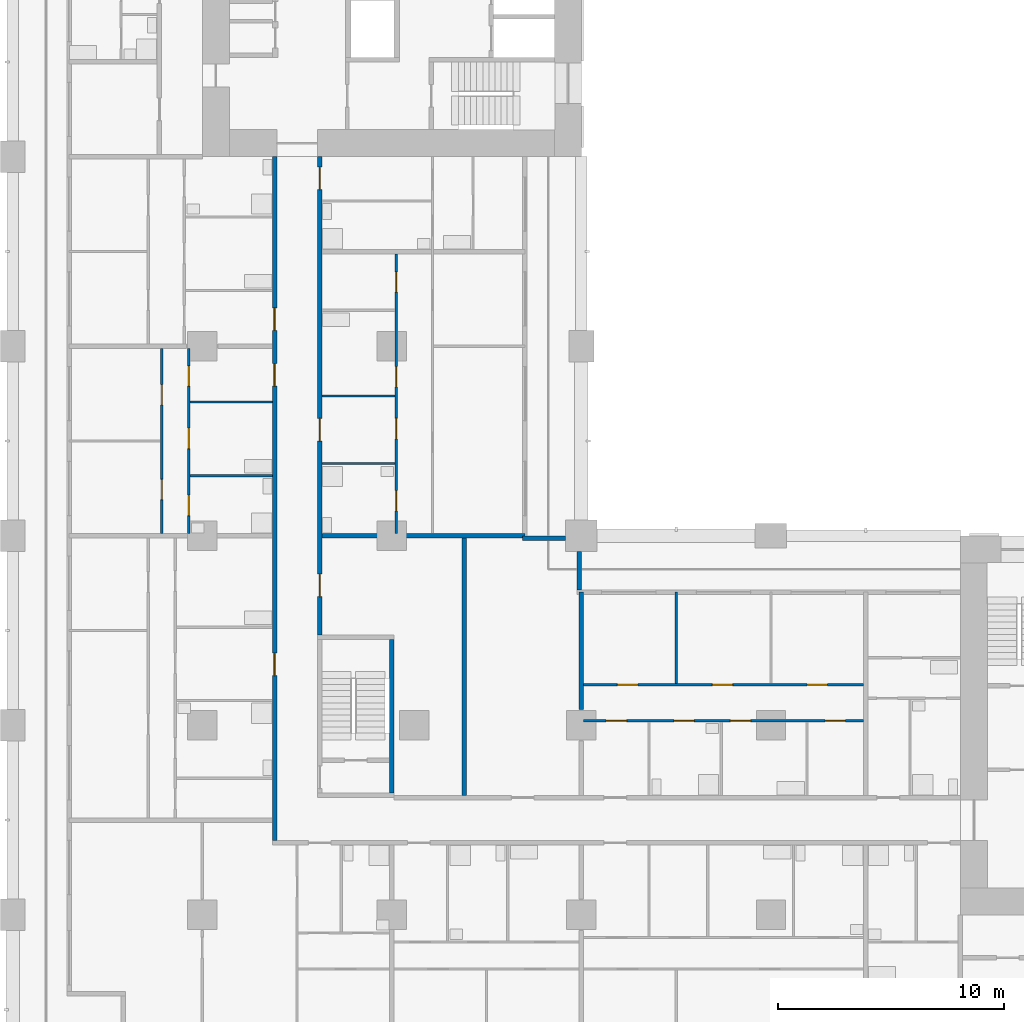
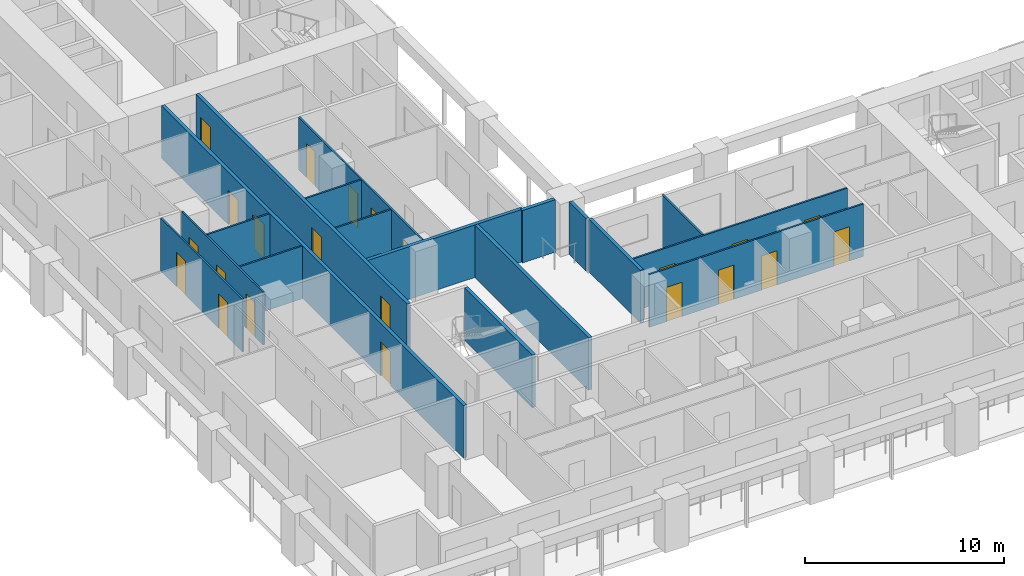
# One storey, part 4 of 19: 22 doors, 18 walls, 22 openings.
"""IFC4 building model written with IfcOpenShell, lengths in metres."""

from ifc_helpers import new_model, si_unit, direction, frame, frame_2d, origin, place, context, subcontext, project, spatial, rectangle, extrude, material, layer, layer_set, type_object, element, fill, save


model = new_model("IFC4")

# Units and contexts
model_context = context("Model", 3, precision=1e-05, world=origin(), true_north=direction((0.0, 1.0)))
body_context = subcontext(model_context, "Body", "Model", "MODEL_VIEW")
ifc_project = project(units=[si_unit("LENGTHUNIT", "METRE"), si_unit("AREAUNIT", "SQUARE_METRE"), si_unit("VOLUMEUNIT", "CUBIC_METRE"), si_unit("PLANEANGLEUNIT", "RADIAN"), si_unit("MASSUNIT", "GRAM", prefix="KILO")], contexts=[model_context])

# Site, building, storey
site_placement = place(None, origin())
site = spatial("IfcSite", under=ifc_project, at=site_placement, CompositionType="ELEMENT")
building_placement = place(site_placement, origin())
building = spatial("IfcBuilding", under=site, at=building_placement, Name="Vermilion Gate Residences", CompositionType="ELEMENT")
storey_placement = place(building_placement, frame((0.0, 0.0, 49.699951171875)))
storey = spatial("IfcBuildingStorey", under=building, at=storey_placement, Name="L11", CompositionType="ELEMENT", Elevation=49.699951171875)

# Walls
ifc_material_1 = material(Name="Insulated steel stud wall with terracotta rainscreen", Category="masonry")
ifc_layer_1 = layer(ifc_material_1, 0.199951171875)
ifc_layer_set_1 = layer_set([ifc_layer_1], Name="EXTERNAL WALL 200 TERRACOTTA RAINSCREEN")
wall_type_1 = type_object("IfcWallType", Name="EXTERNAL WALL 200 TERRACOTTA RAINSCREEN", PredefinedType="SOLIDWALL", material=ifc_layer_set_1)
wall_1_placement = place(storey_placement, frame((25.10009765625, 22.800048828125, 0.0), z_axis=(0.0, 0.0, 1.0), x_axis=(0.0, 1.0, 0.0)))
element("IfcWall", 1, at=wall_1_placement, inside=storey, type_object=wall_type_1, Name="External wall", PredefinedType="SOLIDWALL", context=body_context, shape_type="SweptSolid", body=[
    extrude(rectangle(XDim=1.699951171875, YDim=0.199951171875, at=frame_2d((0.85009765625, 0.0))), origin(), (0.0, 0.0, 1.0), 3.219970703125),
])
wall_2_placement = place(storey_placement, frame((24.5, 25.10009765625, 0.0), z_axis=(0.0, 0.0, 1.0), x_axis=(-1.0, 0.0, 0.0)))
element("IfcWall", 2, at=wall_2_placement, inside=storey, type_object=wall_type_1, Name="External wall", PredefinedType="SOLIDWALL", context=body_context, shape_type="SweptSolid", body=[
    extrude(rectangle(XDim=1.89990234375, YDim=0.199951171875, at=frame_2d((0.949951171875, 0.0))), origin(), (0.0, 0.0, 1.0), 3.219970703125),
])

# Wall, openings, doors
ifc_material_2 = material(Name="Plasterboard on steel studs", Category="steel")
ifc_layer_2 = layer(ifc_material_2, 0.10009765625)
ifc_layer_set_2 = layer_set([ifc_layer_2], Name="PARTITION 100")
wall_type_2 = type_object("IfcWallType", Name="PARTITION 100", PredefinedType="PARTITIONING", material=ifc_layer_set_2)
wall_3_placement = place(storey_placement, frame((25.300048828125, 17.0, 0.0), z_axis=(0.0, 0.0, 1.0), x_axis=(1.0, 0.0, 0.0)))
wall_3 = element("IfcWall", 3, at=wall_3_placement, inside=storey, type_object=wall_type_2, Name="Partition", PredefinedType="PARTITIONING", context=body_context, shape_type="SweptSolid", body=[
    extrude(rectangle(XDim=12.39990234375, YDim=0.10009765625, at=frame_2d((6.199951171875, 0.0))), origin(), (0.0, 0.0, 1.0), 3.219970703125),
])
opening_1_placement = place(wall_3_placement, frame((1.0, 0.0, 0.0)))
opening_1 = element("IfcOpeningElement", 4, at=opening_1_placement, cuts=wall_3, Name="Opening DA10032", PredefinedType="OPENING", context=body_context, shape_type="SweptSolid", body=[
    extrude(rectangle(XDim=0.89990234375, YDim=2.10009765625, at=frame_2d((0.449951171875, 1.050048828125))), frame((0.0, 0.06005859375, 0.0), z_axis=(0.0, -1.0, 0.0), x_axis=(1.0, 0.0, 0.0)), (0.0, 0.0, 1.0), 0.1201171875),
])
opening_2_placement = place(wall_3_placement, frame((4.0, 0.0, 0.0)))
opening_2 = element("IfcOpeningElement", 5, at=opening_2_placement, cuts=wall_3, Name="Opening DA10033", PredefinedType="OPENING", context=body_context, shape_type="SweptSolid", body=[
    extrude(rectangle(XDim=0.89990234375, YDim=2.10009765625, at=frame_2d((0.449951171875, 1.050048828125))), frame((0.0, 0.06005859375, 0.0), z_axis=(0.0, -1.0, 0.0), x_axis=(1.0, 0.0, 0.0)), (0.0, 0.0, 1.0), 0.1201171875),
])
opening_3_placement = place(wall_3_placement, frame((6.5, 0.0, 0.0)))
opening_3 = element("IfcOpeningElement", 6, at=opening_3_placement, cuts=wall_3, Name="Opening DA10034", PredefinedType="OPENING", context=body_context, shape_type="SweptSolid", body=[
    extrude(rectangle(XDim=0.89990234375, YDim=2.10009765625, at=frame_2d((0.449951171875, 1.050048828125))), frame((0.0, 0.06005859375, 0.0), z_axis=(0.0, -1.0, 0.0), x_axis=(1.0, 0.0, 0.0)), (0.0, 0.0, 1.0), 0.1201171875),
])
opening_4_placement = place(wall_3_placement, frame((10.699951171875, 0.0, 0.0)))
opening_4 = element("IfcOpeningElement", 7, at=opening_4_placement, cuts=wall_3, Name="Opening DA10035", PredefinedType="OPENING", context=body_context, shape_type="SweptSolid", body=[
    extrude(rectangle(XDim=0.89990234375, YDim=2.10009765625, at=frame_2d((0.449951171875, 1.050048828125))), frame((0.0, 0.06005859375, 0.0), z_axis=(0.0, -1.0, 0.0), x_axis=(1.0, 0.0, 0.0)), (0.0, 0.0, 1.0), 0.1201171875),
])
ifc_material_3 = material(Name="Timber", Category="wood")
door_type_1 = type_object("IfcDoorType", Name="INTERIOR DOOR 900 X 2100", OperationType="SINGLE_SWING_LEFT", PredefinedType="DOOR", material=ifc_material_3)
door_1_placement = place(opening_1_placement, frame((0.89990234375, 0.0, 0.0), z_axis=(0.0, 0.0, 1.0), x_axis=(-1.0, 0.0, 0.0)))
door_1 = element("IfcDoor", 8, at=door_1_placement, inside=storey, type_object=door_type_1, Name="Interior door", OperationType="SINGLE_SWING_RIGHT", OverallHeight=2.10009765625, OverallWidth=0.89990234375, PredefinedType="DOOR", context=body_context, shape_type="SweptSolid", body=[
    extrude(rectangle(XDim=0.89990234375, YDim=2.10009765625, at=frame_2d((0.449951171875, 1.050048828125))), frame((0.0, 0.02490234375, 0.0), z_axis=(0.0, -1.0, 0.0), x_axis=(1.0, 0.0, 0.0)), (0.0, 0.0, 1.0), 0.050048828125),
])
fill(opening_1, door_1)
door_2_placement = place(opening_2_placement, frame((0.89990234375, 0.0, 0.0), z_axis=(0.0, 0.0, 1.0), x_axis=(-1.0, 0.0, 0.0)))
door_2 = element("IfcDoor", 9, at=door_2_placement, inside=storey, type_object=door_type_1, Name="Interior door", OperationType="SINGLE_SWING_LEFT", OverallHeight=2.10009765625, OverallWidth=0.89990234375, PredefinedType="DOOR", context=body_context, shape_type="SweptSolid", body=[
    extrude(rectangle(XDim=0.89990234375, YDim=2.10009765625, at=frame_2d((0.449951171875, 1.050048828125))), frame((0.0, 0.02490234375, 0.0), z_axis=(0.0, -1.0, 0.0), x_axis=(1.0, 0.0, 0.0)), (0.0, 0.0, 1.0), 0.050048828125),
])
fill(opening_2, door_2)
door_3_placement = place(opening_3_placement, frame((0.89990234375, 0.0, 0.0), z_axis=(0.0, 0.0, 1.0), x_axis=(-1.0, 0.0, 0.0)))
door_3 = element("IfcDoor", 10, at=door_3_placement, inside=storey, type_object=door_type_1, Name="Interior door", OperationType="SINGLE_SWING_LEFT", OverallHeight=2.10009765625, OverallWidth=0.89990234375, PredefinedType="DOOR", context=body_context, shape_type="SweptSolid", body=[
    extrude(rectangle(XDim=0.89990234375, YDim=2.10009765625, at=frame_2d((0.449951171875, 1.050048828125))), frame((0.0, 0.02490234375, 0.0), z_axis=(0.0, -1.0, 0.0), x_axis=(1.0, 0.0, 0.0)), (0.0, 0.0, 1.0), 0.050048828125),
])
fill(opening_3, door_3)
door_4_placement = place(opening_4_placement, frame((0.89990234375, 0.0, 0.0), z_axis=(0.0, 0.0, 1.0), x_axis=(-1.0, 0.0, 0.0)))
door_4 = element("IfcDoor", 11, at=door_4_placement, inside=storey, type_object=door_type_1, Name="Interior door", OperationType="SINGLE_SWING_RIGHT", OverallHeight=2.10009765625, OverallWidth=0.89990234375, PredefinedType="DOOR", context=body_context, shape_type="SweptSolid", body=[
    extrude(rectangle(XDim=0.89990234375, YDim=2.10009765625, at=frame_2d((0.449951171875, 1.050048828125))), frame((0.0, 0.02490234375, 0.0), z_axis=(0.0, -1.0, 0.0), x_axis=(1.0, 0.0, 0.0)), (0.0, 0.0, 1.0), 0.050048828125),
])
fill(opening_4, door_4)

wall_4_placement = place(storey_placement, frame((25.300048828125, 18.60009765625, 0.0), z_axis=(0.0, 0.0, 1.0), x_axis=(1.0, 0.0, 0.0)))
wall_4 = element("IfcWall", 12, at=wall_4_placement, inside=storey, type_object=wall_type_2, Name="Partition", PredefinedType="PARTITIONING", context=body_context, shape_type="SweptSolid", body=[
    extrude(rectangle(XDim=12.39990234375, YDim=0.10009765625, at=frame_2d((6.199951171875, 0.0))), origin(), (0.0, 0.0, 1.0), 3.219970703125),
])
opening_5_placement = place(wall_4_placement, frame((1.5, 0.0, 0.0)))
opening_5 = element("IfcOpeningElement", 13, at=opening_5_placement, cuts=wall_4, Name="Opening DA10038", PredefinedType="OPENING", context=body_context, shape_type="SweptSolid", body=[
    extrude(rectangle(XDim=0.89990234375, YDim=2.10009765625, at=frame_2d((0.449951171875, 1.050048828125))), frame((0.0, 0.06005859375, 0.0), z_axis=(0.0, -1.0, 0.0), x_axis=(1.0, 0.0, 0.0)), (0.0, 0.0, 1.0), 0.1201171875),
])
opening_6_placement = place(wall_4_placement, frame((5.699951171875, 0.0, 0.0)))
opening_6 = element("IfcOpeningElement", 14, at=opening_6_placement, cuts=wall_4, Name="Opening DA10039", PredefinedType="OPENING", context=body_context, shape_type="SweptSolid", body=[
    extrude(rectangle(XDim=0.89990234375, YDim=2.10009765625, at=frame_2d((0.449951171875, 1.050048828125))), frame((0.0, 0.06005859375, 0.0), z_axis=(0.0, -1.0, 0.0), x_axis=(1.0, 0.0, 0.0)), (0.0, 0.0, 1.0), 0.1201171875),
])
opening_7_placement = place(wall_4_placement, frame((9.89990234375, 0.0, 0.0)))
opening_7 = element("IfcOpeningElement", 15, at=opening_7_placement, cuts=wall_4, Name="Opening DA10040", PredefinedType="OPENING", context=body_context, shape_type="SweptSolid", body=[
    extrude(rectangle(XDim=0.89990234375, YDim=2.10009765625, at=frame_2d((0.449951171875, 1.050048828125))), frame((0.0, 0.06005859375, 0.0), z_axis=(0.0, -1.0, 0.0), x_axis=(1.0, 0.0, 0.0)), (0.0, 0.0, 1.0), 0.1201171875),
])
door_5_placement = place(opening_5_placement, origin())
door_5 = element("IfcDoor", 16, at=door_5_placement, inside=storey, type_object=door_type_1, Name="Interior door", OperationType="SINGLE_SWING_LEFT", OverallHeight=2.10009765625, OverallWidth=0.89990234375, PredefinedType="DOOR", context=body_context, shape_type="SweptSolid", body=[
    extrude(rectangle(XDim=0.89990234375, YDim=2.10009765625, at=frame_2d((0.449951171875, 1.050048828125))), frame((0.0, 0.02490234375, 0.0), z_axis=(0.0, -1.0, 0.0), x_axis=(1.0, 0.0, 0.0)), (0.0, 0.0, 1.0), 0.050048828125),
])
fill(opening_5, door_5)
door_6_placement = place(opening_6_placement, origin())
door_6 = element("IfcDoor", 17, at=door_6_placement, inside=storey, type_object=door_type_1, Name="Interior door", OperationType="SINGLE_SWING_LEFT", OverallHeight=2.10009765625, OverallWidth=0.89990234375, PredefinedType="DOOR", context=body_context, shape_type="SweptSolid", body=[
    extrude(rectangle(XDim=0.89990234375, YDim=2.10009765625, at=frame_2d((0.449951171875, 1.050048828125))), frame((0.0, 0.02490234375, 0.0), z_axis=(0.0, -1.0, 0.0), x_axis=(1.0, 0.0, 0.0)), (0.0, 0.0, 1.0), 0.050048828125),
])
fill(opening_6, door_6)
door_7_placement = place(opening_7_placement, origin())
door_7 = element("IfcDoor", 18, at=door_7_placement, inside=storey, type_object=door_type_1, Name="Interior door", OperationType="SINGLE_SWING_LEFT", OverallHeight=2.10009765625, OverallWidth=0.89990234375, PredefinedType="DOOR", context=body_context, shape_type="SweptSolid", body=[
    extrude(rectangle(XDim=0.89990234375, YDim=2.10009765625, at=frame_2d((0.449951171875, 1.050048828125))), frame((0.0, 0.02490234375, 0.0), z_axis=(0.0, -1.0, 0.0), x_axis=(1.0, 0.0, 0.0)), (0.0, 0.0, 1.0), 0.050048828125),
])
fill(opening_7, door_7)

# Walls
wall_5_placement = place(storey_placement, frame((7.85009765625, 27.866943359375, 0.0), z_axis=(0.0, 0.0, 1.0), x_axis=(1.0, 0.0, 0.0)))
element("IfcWall", 19, at=wall_5_placement, inside=storey, type_object=wall_type_2, Name="Partition", PredefinedType="PARTITIONING", context=body_context, shape_type="SweptSolid", body=[
    extrude(rectangle(XDim=3.64990234375, YDim=0.10009765625, at=frame_2d((1.824951171875, 0.0))), origin(), (0.0, 0.0, 1.0), 3.219970703125),
])
wall_6_placement = place(storey_placement, frame((13.699951171875, 28.39990234375, 0.0), z_axis=(0.0, 0.0, 1.0), x_axis=(1.0, 0.0, 0.0)))
element("IfcWall", 20, at=wall_6_placement, inside=storey, type_object=wall_type_2, Name="Partition", PredefinedType="PARTITIONING", context=body_context, shape_type="SweptSolid", body=[
    extrude(rectangle(XDim=3.25, YDim=0.10009765625, at=frame_2d((1.625, 0.0))), origin(), (0.0, 0.0, 1.0), 3.219970703125),
])
wall_7_placement = place(storey_placement, frame((7.85009765625, 31.133056640625, 0.0), z_axis=(0.0, 0.0, 1.0), x_axis=(1.0, 0.0, 0.0)))
element("IfcWall", 21, at=wall_7_placement, inside=storey, type_object=wall_type_2, Name="Partition", PredefinedType="PARTITIONING", context=body_context, shape_type="SweptSolid", body=[
    extrude(rectangle(XDim=3.64990234375, YDim=0.10009765625, at=frame_2d((1.824951171875, 0.0))), origin(), (0.0, 0.0, 1.0), 3.219970703125),
])
wall_8_placement = place(storey_placement, frame((13.699951171875, 31.39990234375, 0.0), z_axis=(0.0, 0.0, 1.0), x_axis=(1.0, 0.0, 0.0)))
element("IfcWall", 22, at=wall_8_placement, inside=storey, type_object=wall_type_2, Name="Partition", PredefinedType="PARTITIONING", context=body_context, shape_type="SweptSolid", body=[
    extrude(rectangle(XDim=3.25, YDim=0.10009765625, at=frame_2d((1.625, 0.0))), origin(), (0.0, 0.0, 1.0), 3.219970703125),
])

# Wall, openings, doors
wall_9_placement = place(storey_placement, frame((6.60009765625, 25.300048828125, 0.0), z_axis=(0.0, 0.0, 1.0), x_axis=(0.0, 1.0, 0.0)))
wall_9 = element("IfcWall", 23, at=wall_9_placement, inside=storey, type_object=wall_type_2, Name="Partition", PredefinedType="PARTITIONING", context=body_context, shape_type="SweptSolid", body=[
    extrude(rectangle(XDim=8.199951171875, YDim=0.10009765625, at=frame_2d((4.10009765625, 0.0))), origin(), (0.0, 0.0, 1.0), 3.219970703125),
])
opening_8_placement = place(wall_9_placement, frame((1.5, 0.0, 0.0)))
opening_8 = element("IfcOpeningElement", 24, at=opening_8_placement, cuts=wall_9, Name="Opening DA10051", PredefinedType="OPENING", context=body_context, shape_type="SweptSolid", body=[
    extrude(rectangle(XDim=0.89990234375, YDim=2.10009765625, at=frame_2d((0.449951171875, 1.050048828125))), frame((0.0, 0.06005859375, 0.0), z_axis=(0.0, -1.0, 0.0), x_axis=(1.0, 0.0, 0.0)), (0.0, 0.0, 1.0), 0.1201171875),
])
opening_9_placement = place(wall_9_placement, frame((5.699951171875, 0.0, 0.0)))
opening_9 = element("IfcOpeningElement", 25, at=opening_9_placement, cuts=wall_9, Name="Opening DA10052", PredefinedType="OPENING", context=body_context, shape_type="SweptSolid", body=[
    extrude(rectangle(XDim=0.89990234375, YDim=2.10009765625, at=frame_2d((0.449951171875, 1.050048828125))), frame((0.0, 0.06005859375, 0.0), z_axis=(0.0, -1.0, 0.0), x_axis=(1.0, 0.0, 0.0)), (0.0, 0.0, 1.0), 0.1201171875),
])
door_8_placement = place(opening_8_placement, origin())
door_8 = element("IfcDoor", 26, at=door_8_placement, inside=storey, type_object=door_type_1, Name="Interior door", OperationType="SINGLE_SWING_LEFT", OverallHeight=2.10009765625, OverallWidth=0.89990234375, PredefinedType="DOOR", context=body_context, shape_type="SweptSolid", body=[
    extrude(rectangle(XDim=0.89990234375, YDim=2.10009765625, at=frame_2d((0.449951171875, 1.050048828125))), frame((0.0, 0.02490234375, 0.0), z_axis=(0.0, -1.0, 0.0), x_axis=(1.0, 0.0, 0.0)), (0.0, 0.0, 1.0), 0.050048828125),
])
fill(opening_8, door_8)
door_9_placement = place(opening_9_placement, origin())
door_9 = element("IfcDoor", 27, at=door_9_placement, inside=storey, type_object=door_type_1, Name="Interior door", OperationType="SINGLE_SWING_LEFT", OverallHeight=2.10009765625, OverallWidth=0.89990234375, PredefinedType="DOOR", context=body_context, shape_type="SweptSolid", body=[
    extrude(rectangle(XDim=0.89990234375, YDim=2.10009765625, at=frame_2d((0.449951171875, 1.050048828125))), frame((0.0, 0.02490234375, 0.0), z_axis=(0.0, -1.0, 0.0), x_axis=(1.0, 0.0, 0.0)), (0.0, 0.0, 1.0), 0.050048828125),
])
fill(opening_9, door_9)

wall_10_placement = place(storey_placement, frame((7.800048828125, 25.300048828125, 0.0), z_axis=(0.0, 0.0, 1.0), x_axis=(0.0, 1.0, 0.0)))
wall_10 = element("IfcWall", 28, at=wall_10_placement, inside=storey, type_object=wall_type_2, Name="Partition", PredefinedType="PARTITIONING", context=body_context, shape_type="SweptSolid", body=[
    extrude(rectangle(XDim=8.199951171875, YDim=0.10009765625, at=frame_2d((4.10009765625, 0.0))), origin(), (0.0, 0.0, 1.0), 3.219970703125),
])
opening_10_placement = place(wall_10_placement, frame((6.532958984375, 0.0, 0.0)))
opening_10 = element("IfcOpeningElement", 29, at=opening_10_placement, cuts=wall_10, Name="Opening DA10060", PredefinedType="OPENING", context=body_context, shape_type="SweptSolid", body=[
    extrude(rectangle(XDim=0.89990234375, YDim=2.10009765625, at=frame_2d((0.449951171875, 1.050048828125))), frame((0.0, 0.06005859375, 0.0), z_axis=(0.0, -1.0, 0.0), x_axis=(1.0, 0.0, 0.0)), (0.0, 0.0, 1.0), 0.1201171875),
])
opening_11_placement = place(wall_10_placement, frame((0.800048828125, 0.0, 0.0)))
opening_11 = element("IfcOpeningElement", 30, at=opening_11_placement, cuts=wall_10, Name="Opening DA10061", PredefinedType="OPENING", context=body_context, shape_type="SweptSolid", body=[
    extrude(rectangle(XDim=0.89990234375, YDim=2.10009765625, at=frame_2d((0.449951171875, 1.050048828125))), frame((0.0, 0.06005859375, 0.0), z_axis=(0.0, -1.0, 0.0), x_axis=(1.0, 0.0, 0.0)), (0.0, 0.0, 1.0), 0.1201171875),
])
opening_12_placement = place(wall_10_placement, frame((3.76708984375, 0.0, 0.0)))
opening_12 = element("IfcOpeningElement", 31, at=opening_12_placement, cuts=wall_10, Name="Opening DA10062", PredefinedType="OPENING", context=body_context, shape_type="SweptSolid", body=[
    extrude(rectangle(XDim=0.89990234375, YDim=2.10009765625, at=frame_2d((0.449951171875, 1.050048828125))), frame((0.0, 0.06005859375, 0.0), z_axis=(0.0, -1.0, 0.0), x_axis=(1.0, 0.0, 0.0)), (0.0, 0.0, 1.0), 0.1201171875),
])
door_10_placement = place(opening_10_placement, frame((0.89990234375, 0.0, 0.0), z_axis=(0.0, 0.0, 1.0), x_axis=(-1.0, 0.0, 0.0)))
door_10 = element("IfcDoor", 32, at=door_10_placement, inside=storey, type_object=door_type_1, Name="Interior door", OperationType="SINGLE_SWING_LEFT", OverallHeight=2.10009765625, OverallWidth=0.89990234375, PredefinedType="DOOR", context=body_context, shape_type="SweptSolid", body=[
    extrude(rectangle(XDim=0.89990234375, YDim=2.10009765625, at=frame_2d((0.449951171875, 1.050048828125))), frame((0.0, 0.02490234375, 0.0), z_axis=(0.0, -1.0, 0.0), x_axis=(1.0, 0.0, 0.0)), (0.0, 0.0, 1.0), 0.050048828125),
])
fill(opening_10, door_10)
door_11_placement = place(opening_11_placement, frame((0.89990234375, 0.0, 0.0), z_axis=(0.0, 0.0, 1.0), x_axis=(-1.0, 0.0, 0.0)))
door_11 = element("IfcDoor", 33, at=door_11_placement, inside=storey, type_object=door_type_1, Name="Interior door", OperationType="SINGLE_SWING_RIGHT", OverallHeight=2.10009765625, OverallWidth=0.89990234375, PredefinedType="DOOR", context=body_context, shape_type="SweptSolid", body=[
    extrude(rectangle(XDim=0.89990234375, YDim=2.10009765625, at=frame_2d((0.449951171875, 1.050048828125))), frame((0.0, 0.02490234375, 0.0), z_axis=(0.0, -1.0, 0.0), x_axis=(1.0, 0.0, 0.0)), (0.0, 0.0, 1.0), 0.050048828125),
])
fill(opening_11, door_11)
door_12_placement = place(opening_12_placement, frame((0.89990234375, 0.0, 0.0), z_axis=(0.0, 0.0, 1.0), x_axis=(-1.0, 0.0, 0.0)))
door_12 = element("IfcDoor", 34, at=door_12_placement, inside=storey, type_object=door_type_1, Name="Interior door", OperationType="SINGLE_SWING_LEFT", OverallHeight=2.10009765625, OverallWidth=0.89990234375, PredefinedType="DOOR", context=body_context, shape_type="SweptSolid", body=[
    extrude(rectangle(XDim=0.89990234375, YDim=2.10009765625, at=frame_2d((0.449951171875, 1.050048828125))), frame((0.0, 0.02490234375, 0.0), z_axis=(0.0, -1.0, 0.0), x_axis=(1.0, 0.0, 0.0)), (0.0, 0.0, 1.0), 0.050048828125),
])
fill(opening_12, door_12)

wall_11_placement = place(storey_placement, frame((17.0, 25.300048828125, 0.0), z_axis=(0.0, 0.0, 1.0), x_axis=(0.0, 1.0, 0.0)))
wall_11 = element("IfcWall", 35, at=wall_11_placement, inside=storey, type_object=wall_type_2, Name="Partition", PredefinedType="PARTITIONING", context=body_context, shape_type="SweptSolid", body=[
    extrude(rectangle(XDim=12.39990234375, YDim=0.10009765625, at=frame_2d((6.199951171875, 0.0))), origin(), (0.0, 0.0, 1.0), 3.219970703125),
])
opening_13_placement = place(wall_11_placement, frame((4.199951171875, 0.0, 0.0)))
opening_13 = element("IfcOpeningElement", 36, at=opening_13_placement, cuts=wall_11, Name="Opening DA10071", PredefinedType="OPENING", context=body_context, shape_type="SweptSolid", body=[
    extrude(rectangle(XDim=0.89990234375, YDim=2.10009765625, at=frame_2d((0.449951171875, 1.050048828125))), frame((0.0, 0.06005859375, 0.0), z_axis=(0.0, -1.0, 0.0), x_axis=(1.0, 0.0, 0.0)), (0.0, 0.0, 1.0), 0.1201171875),
])
opening_14_placement = place(wall_11_placement, frame((1.0, 0.0, 0.0)))
opening_14 = element("IfcOpeningElement", 37, at=opening_14_placement, cuts=wall_11, Name="Opening DA10072", PredefinedType="OPENING", context=body_context, shape_type="SweptSolid", body=[
    extrude(rectangle(XDim=0.89990234375, YDim=2.10009765625, at=frame_2d((0.449951171875, 1.050048828125))), frame((0.0, 0.06005859375, 0.0), z_axis=(0.0, -1.0, 0.0), x_axis=(1.0, 0.0, 0.0)), (0.0, 0.0, 1.0), 0.1201171875),
])
opening_15_placement = place(wall_11_placement, frame((6.5, 0.0, 0.0)))
opening_15 = element("IfcOpeningElement", 38, at=opening_15_placement, cuts=wall_11, Name="Opening DA10073", PredefinedType="OPENING", context=body_context, shape_type="SweptSolid", body=[
    extrude(rectangle(XDim=0.89990234375, YDim=2.10009765625, at=frame_2d((0.449951171875, 1.050048828125))), frame((0.0, 0.06005859375, 0.0), z_axis=(0.0, -1.0, 0.0), x_axis=(1.0, 0.0, 0.0)), (0.0, 0.0, 1.0), 0.1201171875),
])
opening_16_placement = place(wall_11_placement, frame((10.699951171875, 0.0, 0.0)))
opening_16 = element("IfcOpeningElement", 39, at=opening_16_placement, cuts=wall_11, Name="Opening DA10074", PredefinedType="OPENING", context=body_context, shape_type="SweptSolid", body=[
    extrude(rectangle(XDim=0.89990234375, YDim=2.10009765625, at=frame_2d((0.449951171875, 1.050048828125))), frame((0.0, 0.06005859375, 0.0), z_axis=(0.0, -1.0, 0.0), x_axis=(1.0, 0.0, 0.0)), (0.0, 0.0, 1.0), 0.1201171875),
])
door_13_placement = place(opening_13_placement, origin())
door_13 = element("IfcDoor", 40, at=door_13_placement, inside=storey, type_object=door_type_1, Name="Interior door", OperationType="SINGLE_SWING_RIGHT", OverallHeight=2.10009765625, OverallWidth=0.89990234375, PredefinedType="DOOR", context=body_context, shape_type="SweptSolid", body=[
    extrude(rectangle(XDim=0.89990234375, YDim=2.10009765625, at=frame_2d((0.449951171875, 1.050048828125))), frame((0.0, 0.02490234375, 0.0), z_axis=(0.0, -1.0, 0.0), x_axis=(1.0, 0.0, 0.0)), (0.0, 0.0, 1.0), 0.050048828125),
])
fill(opening_13, door_13)
door_14_placement = place(opening_14_placement, origin())
door_14 = element("IfcDoor", 41, at=door_14_placement, inside=storey, type_object=door_type_1, Name="Interior door", OperationType="SINGLE_SWING_LEFT", OverallHeight=2.10009765625, OverallWidth=0.89990234375, PredefinedType="DOOR", context=body_context, shape_type="SweptSolid", body=[
    extrude(rectangle(XDim=0.89990234375, YDim=2.10009765625, at=frame_2d((0.449951171875, 1.050048828125))), frame((0.0, 0.02490234375, 0.0), z_axis=(0.0, -1.0, 0.0), x_axis=(1.0, 0.0, 0.0)), (0.0, 0.0, 1.0), 0.050048828125),
])
fill(opening_14, door_14)
door_15_placement = place(opening_15_placement, origin())
door_15 = element("IfcDoor", 42, at=door_15_placement, inside=storey, type_object=door_type_1, Name="Interior door", OperationType="SINGLE_SWING_RIGHT", OverallHeight=2.10009765625, OverallWidth=0.89990234375, PredefinedType="DOOR", context=body_context, shape_type="SweptSolid", body=[
    extrude(rectangle(XDim=0.89990234375, YDim=2.10009765625, at=frame_2d((0.449951171875, 1.050048828125))), frame((0.0, 0.02490234375, 0.0), z_axis=(0.0, -1.0, 0.0), x_axis=(1.0, 0.0, 0.0)), (0.0, 0.0, 1.0), 0.050048828125),
])
fill(opening_15, door_15)
door_16_placement = place(opening_16_placement, origin())
door_16 = element("IfcDoor", 43, at=door_16_placement, inside=storey, type_object=door_type_1, Name="Interior door", OperationType="SINGLE_SWING_LEFT", OverallHeight=2.10009765625, OverallWidth=0.89990234375, PredefinedType="DOOR", context=body_context, shape_type="SweptSolid", body=[
    extrude(rectangle(XDim=0.89990234375, YDim=2.10009765625, at=frame_2d((0.449951171875, 1.050048828125))), frame((0.0, 0.02490234375, 0.0), z_axis=(0.0, -1.0, 0.0), x_axis=(1.0, 0.0, 0.0)), (0.0, 0.0, 1.0), 0.050048828125),
])
fill(opening_16, door_16)

# Walls
wall_12_placement = place(storey_placement, frame((29.39990234375, 18.64990234375, 0.0), z_axis=(0.0, 0.0, 1.0), x_axis=(0.0, 1.0, 0.0)))
element("IfcWall", 44, at=wall_12_placement, inside=storey, type_object=wall_type_2, Name="Partition", PredefinedType="PARTITIONING", context=body_context, shape_type="SweptSolid", body=[
    extrude(rectangle(XDim=4.050048828125, YDim=0.10009765625, at=frame_2d((2.02490234375, 0.0))), origin(), (0.0, 0.0, 1.0), 3.219970703125),
])
ifc_material_4 = material(Name="Fire-rated plasterboard on steel studs", Category="steel")
ifc_layer_3 = layer(ifc_material_4, 0.199951171875)
ifc_layer_set_3 = layer_set([ifc_layer_3], Name="PARTY WALL 200 EI 120")
wall_type_3 = type_object("IfcWallType", Name="PARTY WALL 200 EI 120", PredefinedType="PARTITIONING", material=ifc_layer_set_3)
wall_13_placement = place(storey_placement, frame((13.699951171875, 25.199951171875, 0.0), z_axis=(0.0, 0.0, 1.0), x_axis=(1.0, 0.0, 0.0)))
element("IfcWall", 45, at=wall_13_placement, inside=storey, type_object=wall_type_3, Name="Party and corridor wall", PredefinedType="PARTITIONING", context=body_context, shape_type="SweptSolid", body=[
    extrude(rectangle(XDim=9.0, YDim=0.199951171875, at=frame_2d((4.5, 0.0))), origin(), (0.0, 0.0, 1.0), 3.219970703125),
])

# Wall, openings, doors
wall_14_placement = place(storey_placement, frame((11.60009765625, 11.699951171875, 0.0), z_axis=(0.0, 0.0, 1.0), x_axis=(0.0, 1.0, 0.0)))
wall_14 = element("IfcWall", 46, at=wall_14_placement, inside=storey, type_object=wall_type_3, Name="Party and corridor wall", PredefinedType="PARTITIONING", context=body_context, shape_type="SweptSolid", body=[
    extrude(rectangle(XDim=30.300048828125, YDim=0.199951171875, at=frame_2d((15.14990234375, 0.0))), origin(), (0.0, 0.0, 1.0), 3.219970703125),
])
opening_17_placement = place(wall_14_placement, frame((7.300048828125, 0.0, 0.0)))
opening_17 = element("IfcOpeningElement", 47, at=opening_17_placement, cuts=wall_14, Name="Opening DA10064", PredefinedType="OPENING", context=body_context, shape_type="SweptSolid", body=[
    extrude(rectangle(XDim=1.0, YDim=2.10009765625, at=frame_2d((0.5, 1.050048828125))), frame((0.0, 0.10986328125, 0.0), z_axis=(0.0, -1.0, 0.0), x_axis=(1.0, 0.0, 0.0)), (0.0, 0.0, 1.0), 0.219970703125),
])
opening_18_placement = place(wall_14_placement, frame((20.133056640625, 0.0, 0.0)))
opening_18 = element("IfcOpeningElement", 48, at=opening_18_placement, cuts=wall_14, Name="Opening DA10065", PredefinedType="OPENING", context=body_context, shape_type="SweptSolid", body=[
    extrude(rectangle(XDim=1.0, YDim=2.10009765625, at=frame_2d((0.5, 1.050048828125))), frame((0.0, 0.10986328125, 0.0), z_axis=(0.0, -1.0, 0.0), x_axis=(1.0, 0.0, 0.0)), (0.0, 0.0, 1.0), 0.219970703125),
])
opening_19_placement = place(wall_14_placement, frame((22.60009765625, 0.0, 0.0)))
opening_19 = element("IfcOpeningElement", 49, at=opening_19_placement, cuts=wall_14, Name="Opening DA10066", PredefinedType="OPENING", context=body_context, shape_type="SweptSolid", body=[
    extrude(rectangle(XDim=1.0, YDim=2.10009765625, at=frame_2d((0.5, 1.050048828125))), frame((0.0, 0.10986328125, 0.0), z_axis=(0.0, -1.0, 0.0), x_axis=(1.0, 0.0, 0.0)), (0.0, 0.0, 1.0), 0.219970703125),
])
ifc_material_5 = material(Name="Steel", Category="steel")
door_type_2 = type_object("IfcDoorType", Name="ENTRANCE DOOR 1000 X 2100 FD30", OperationType="SINGLE_SWING_LEFT", PredefinedType="DOOR", material=ifc_material_5)
door_17_placement = place(opening_17_placement, origin())
door_17 = element("IfcDoor", 50, at=door_17_placement, inside=storey, type_object=door_type_2, Name="Entrance door", OperationType="SINGLE_SWING_LEFT", OverallHeight=2.10009765625, OverallWidth=1.0, PredefinedType="DOOR", context=body_context, shape_type="SweptSolid", body=[
    extrude(rectangle(XDim=1.0, YDim=2.10009765625, at=frame_2d((0.5, 1.050048828125))), frame((0.0, 0.02490234375, 0.0), z_axis=(0.0, -1.0, 0.0), x_axis=(1.0, 0.0, 0.0)), (0.0, 0.0, 1.0), 0.050048828125),
])
fill(opening_17, door_17)
door_18_placement = place(opening_18_placement, origin())
door_18 = element("IfcDoor", 51, at=door_18_placement, inside=storey, type_object=door_type_2, Name="Entrance door", OperationType="SINGLE_SWING_LEFT", OverallHeight=2.10009765625, OverallWidth=1.0, PredefinedType="DOOR", context=body_context, shape_type="SweptSolid", body=[
    extrude(rectangle(XDim=1.0, YDim=2.10009765625, at=frame_2d((0.5, 1.050048828125))), frame((0.0, 0.02490234375, 0.0), z_axis=(0.0, -1.0, 0.0), x_axis=(1.0, 0.0, 0.0)), (0.0, 0.0, 1.0), 0.050048828125),
])
fill(opening_18, door_18)
door_19_placement = place(opening_19_placement, origin())
door_19 = element("IfcDoor", 52, at=door_19_placement, inside=storey, type_object=door_type_2, Name="Entrance door", OperationType="SINGLE_SWING_LEFT", OverallHeight=2.10009765625, OverallWidth=1.0, PredefinedType="DOOR", context=body_context, shape_type="SweptSolid", body=[
    extrude(rectangle(XDim=1.0, YDim=2.10009765625, at=frame_2d((0.5, 1.050048828125))), frame((0.0, 0.02490234375, 0.0), z_axis=(0.0, -1.0, 0.0), x_axis=(1.0, 0.0, 0.0)), (0.0, 0.0, 1.0), 0.050048828125),
])
fill(opening_19, door_19)

wall_15_placement = place(storey_placement, frame((13.60009765625, 20.800048828125, 0.0), z_axis=(0.0, 0.0, 1.0), x_axis=(0.0, 1.0, 0.0)))
wall_15 = element("IfcWall", 53, at=wall_15_placement, inside=storey, type_object=wall_type_3, Name="Party and corridor wall", PredefinedType="PARTITIONING", context=body_context, shape_type="SweptSolid", body=[
    extrude(rectangle(XDim=21.199951171875, YDim=0.199951171875, at=frame_2d((10.60009765625, 0.0))), origin(), (0.0, 0.0, 1.0), 3.219970703125),
])
opening_20_placement = place(wall_15_placement, frame((8.60009765625, 0.0, 0.0)))
opening_20 = element("IfcOpeningElement", 54, at=opening_20_placement, cuts=wall_15, Name="Opening DA10068", PredefinedType="OPENING", context=body_context, shape_type="SweptSolid", body=[
    extrude(rectangle(XDim=1.0, YDim=2.10009765625, at=frame_2d((0.5, 1.050048828125))), frame((0.0, 0.10986328125, 0.0), z_axis=(0.0, -1.0, 0.0), x_axis=(1.0, 0.0, 0.0)), (0.0, 0.0, 1.0), 0.219970703125),
])
opening_21_placement = place(wall_15_placement, frame((19.739990234375, 0.0, 0.0)))
opening_21 = element("IfcOpeningElement", 55, at=opening_21_placement, cuts=wall_15, Name="Opening DA10069", PredefinedType="OPENING", context=body_context, shape_type="SweptSolid", body=[
    extrude(rectangle(XDim=1.0, YDim=2.10009765625, at=frame_2d((0.5, 1.050048828125))), frame((0.0, 0.10986328125, 0.0), z_axis=(0.0, -1.0, 0.0), x_axis=(1.0, 0.0, 0.0)), (0.0, 0.0, 1.0), 0.219970703125),
])
opening_22_placement = place(wall_15_placement, frame((1.699951171875, 0.0, 0.0)))
opening_22 = element("IfcOpeningElement", 56, at=opening_22_placement, cuts=wall_15, Name="Opening DA10070", PredefinedType="OPENING", context=body_context, shape_type="SweptSolid", body=[
    extrude(rectangle(XDim=1.0, YDim=2.10009765625, at=frame_2d((0.5, 1.050048828125))), frame((0.0, 0.10986328125, 0.0), z_axis=(0.0, -1.0, 0.0), x_axis=(1.0, 0.0, 0.0)), (0.0, 0.0, 1.0), 0.219970703125),
])
door_20_placement = place(opening_20_placement, frame((1.0, 0.0, 0.0), z_axis=(0.0, 0.0, 1.0), x_axis=(-1.0, 0.0, 0.0)))
door_20 = element("IfcDoor", 57, at=door_20_placement, inside=storey, type_object=door_type_2, Name="Entrance door", OperationType="SINGLE_SWING_RIGHT", OverallHeight=2.10009765625, OverallWidth=1.0, PredefinedType="DOOR", context=body_context, shape_type="SweptSolid", body=[
    extrude(rectangle(XDim=1.0, YDim=2.10009765625, at=frame_2d((0.5, 1.050048828125))), frame((0.0, 0.02490234375, 0.0), z_axis=(0.0, -1.0, 0.0), x_axis=(1.0, 0.0, 0.0)), (0.0, 0.0, 1.0), 0.050048828125),
])
fill(opening_20, door_20)
door_21_placement = place(opening_21_placement, frame((1.0, 0.0, 0.0), z_axis=(0.0, 0.0, 1.0), x_axis=(-1.0, 0.0, 0.0)))
door_21 = element("IfcDoor", 58, at=door_21_placement, inside=storey, type_object=door_type_2, Name="Entrance door", OperationType="SINGLE_SWING_RIGHT", OverallHeight=2.10009765625, OverallWidth=1.0, PredefinedType="DOOR", context=body_context, shape_type="SweptSolid", body=[
    extrude(rectangle(XDim=1.0, YDim=2.10009765625, at=frame_2d((0.5, 1.050048828125))), frame((0.0, 0.02490234375, 0.0), z_axis=(0.0, -1.0, 0.0), x_axis=(1.0, 0.0, 0.0)), (0.0, 0.0, 1.0), 0.050048828125),
])
fill(opening_21, door_21)
door_22_placement = place(opening_22_placement, frame((1.0, 0.0, 0.0), z_axis=(0.0, 0.0, 1.0), x_axis=(-1.0, 0.0, 0.0)))
door_22 = element("IfcDoor", 59, at=door_22_placement, inside=storey, type_object=door_type_2, Name="Entrance door", OperationType="SINGLE_SWING_LEFT", OverallHeight=2.10009765625, OverallWidth=1.0, PredefinedType="DOOR", context=body_context, shape_type="SweptSolid", body=[
    extrude(rectangle(XDim=1.0, YDim=2.10009765625, at=frame_2d((0.5, 1.050048828125))), frame((0.0, 0.02490234375, 0.0), z_axis=(0.0, -1.0, 0.0), x_axis=(1.0, 0.0, 0.0)), (0.0, 0.0, 1.0), 0.050048828125),
])
fill(opening_22, door_22)

# Walls
wall_16_placement = place(storey_placement, frame((20.0, 13.699951171875, 0.0), z_axis=(0.0, 0.0, 1.0), x_axis=(0.0, 1.0, 0.0)))
element("IfcWall", 60, at=wall_16_placement, inside=storey, type_object=wall_type_3, Name="Party and corridor wall", PredefinedType="PARTITIONING", context=body_context, shape_type="SweptSolid", body=[
    extrude(rectangle(XDim=11.400146484375, YDim=0.199951171875, at=frame_2d((5.7001953125, 0.0))), origin(), (0.0, 0.0, 1.0), 3.219970703125),
])
wall_17_placement = place(storey_placement, frame((25.199951171875, 17.5, 0.0), z_axis=(0.0, 0.0, 1.0), x_axis=(0.0, 1.0, 0.0)))
element("IfcWall", 61, at=wall_17_placement, inside=storey, type_object=wall_type_3, Name="Party and corridor wall", PredefinedType="PARTITIONING", context=body_context, shape_type="SweptSolid", body=[
    extrude(rectangle(XDim=5.199951171875, YDim=0.199951171875, at=frame_2d((2.60009765625, 0.0))), origin(), (0.0, 0.0, 1.0), 3.219970703125),
])
ifc_material_6 = material(Name="Concrete C60", Category="concrete")
ifc_layer_4 = layer(ifc_material_6, 0.199951171875)
ifc_layer_set_4 = layer_set([ifc_layer_4], Name="RC CORE INTERNAL WALL 200 C60")
wall_type_4 = type_object("IfcWallType", Name="RC CORE INTERNAL WALL 200 C60", PredefinedType="SHEAR", material=ifc_layer_set_4)
wall_18_placement = place(storey_placement, frame((16.800048828125, 13.800048828125, 0.0), z_axis=(0.0, 0.0, 1.0), x_axis=(0.0, 1.0, 0.0)))
element("IfcWall", 62, at=wall_18_placement, inside=storey, type_object=wall_type_4, Name="Core internal wall C11-E", PredefinedType="SHEAR", context=body_context, shape_type="SweptSolid", body=[
    extrude(rectangle(XDim=6.800048828125, YDim=0.199951171875, at=frame_2d((3.39990234375, 0.0))), origin(), (0.0, 0.0, 1.0), 3.219970703125),
])

save(model, "model.ifc")
